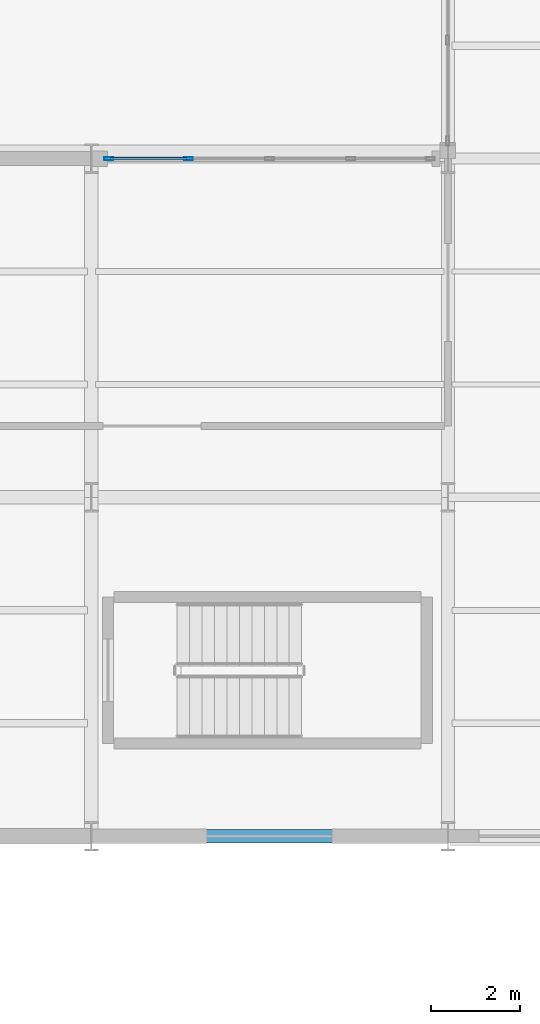
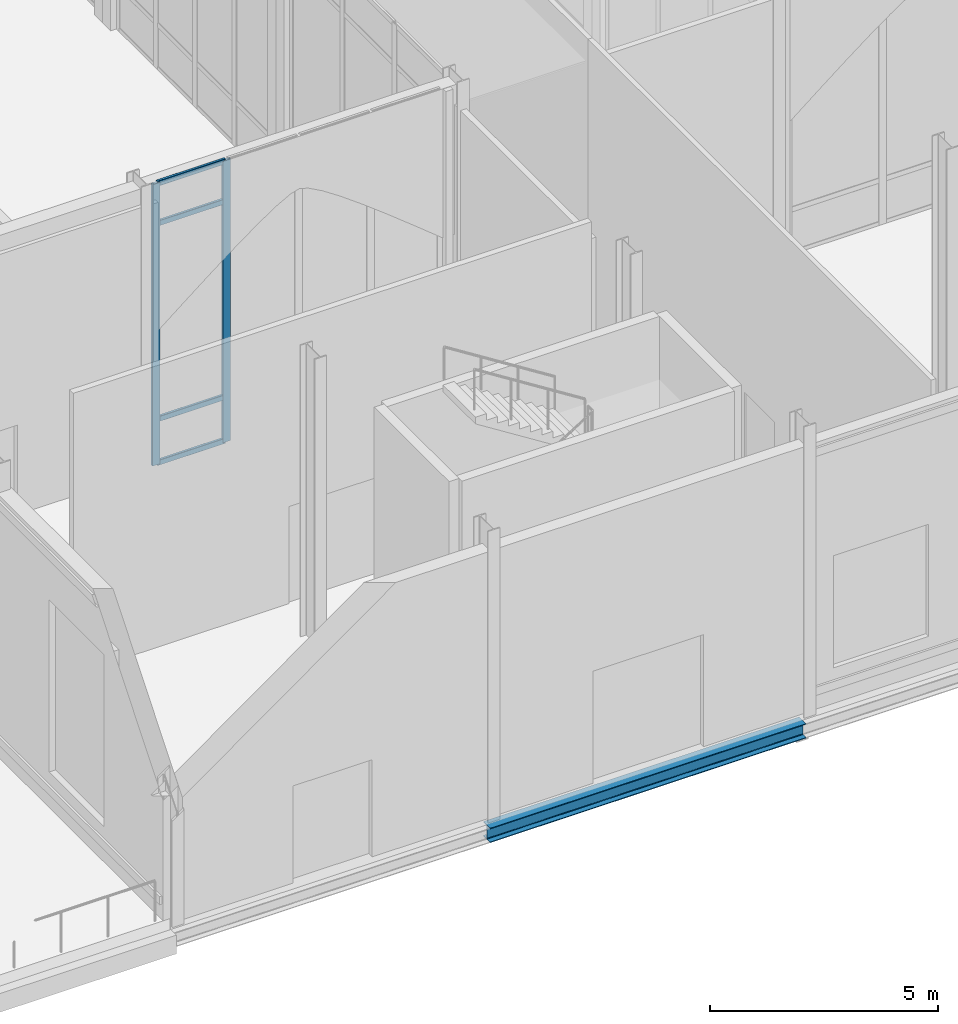
# One storey, part 30 of 176: 6 members, 1 beam, 1 element without a shape of its own.
"""IFC4 building model written with IfcOpenShell, lengths in metres."""

from ifc_helpers import new_model, si_unit, direction, frame, origin, origin_2d, place, context, subcontext, project, spatial, hollow_rectangle, i_section, extrude, material, layer, layer_set, material_profile, profile_set, type_object, element, aggregate, save


model = new_model("IFC4")

# Units and contexts
model_context = context("Model", 3, precision=1e-05, world=origin(), true_north=direction((0.0, 1.0)))
body_context = subcontext(model_context, "Body", "Model", "MODEL_VIEW")
ifc_project = project(units=[si_unit("LENGTHUNIT", "METRE"), si_unit("AREAUNIT", "SQUARE_METRE"), si_unit("VOLUMEUNIT", "CUBIC_METRE"), si_unit("PLANEANGLEUNIT", "RADIAN"), si_unit("MASSUNIT", "GRAM", prefix="KILO")], contexts=[model_context])

# Site, building, storey
site_placement = place(None, origin())
site = spatial("IfcSite", under=ifc_project, at=site_placement, CompositionType="ELEMENT")
building_placement = place(site_placement, origin())
building = spatial("IfcBuilding", under=site, at=building_placement, Name="Vekula Escarpment Museum", CompositionType="ELEMENT")
storey_placement = place(building_placement, origin())
storey = spatial("IfcBuildingStorey", under=building, at=storey_placement, Name="L01", CompositionType="ELEMENT", Elevation=0.0)

# Beam
ifc_material_1 = material(Name="Steel S355", Category="steel")
ifc_material_profile_1 = material_profile(ifc_material_1, i_section(OverallWidth=0.300048828125, OverallDepth=0.389892578125, WebThickness=0.010986328125, FlangeThickness=0.01904296875, FilletRadius=0.027099609375, at=origin_2d()), Name="HEA 400")
ifc_profile_set_1 = profile_set([ifc_material_profile_1], Name="Steel S355")
beam_type = type_object("IfcBeamType", Name="BM-SPAN-HEA400", PredefinedType="SPANDREL", material=ifc_profile_set_1)
beam_placement = place(storey_placement, frame((86.0, 0.0, -0.4951171875), z_axis=(1.0, 0.0, 0.0), x_axis=(0.0, 1.0, 0.0)))
element("IfcBeam", 1, at=beam_placement, inside=storey, type_object=beam_type, Name="Beam X L01 0019", PredefinedType="SPANDREL", context=body_context, shape_type="SweptSolid", body=[
    extrude(i_section(OverallWidth=0.300048828125, OverallDepth=0.389892578125, WebThickness=0.010986328125, FlangeThickness=0.01904296875, FilletRadius=0.027099609375, at=origin_2d()), origin(), (0.0, 0.0, 1.0), 8.0),
])

# Curtain wall, members
ifc_material_2 = material(Name="Aluminium thermally broken framing", Category="aluminium")
ifc_layer = layer(ifc_material_2, 0.159912109375)
ifc_layer_set = layer_set([ifc_layer], Name="Aluminium thermally broken framing")
curtain_wall_type = type_object("IfcCurtainWallType", Name="CW-SYS-01", PredefinedType="NOTDEFINED", material=ifc_layer_set)
curtain_wall_placement = place(storey_placement, origin())
curtain_wall = element("IfcCurtainWall", 2, at=curtain_wall_placement, inside=storey, type_object=curtain_wall_type, Name="Curtain Wall CW-L01-051", PredefinedType="NOTDEFINED")
ifc_material_3 = material(Name="Aluminium anodized mullion", Category="aluminium")
ifc_material_profile_2 = material_profile(ifc_material_3, hollow_rectangle(XDim=0.06494140625, YDim=0.199951171875, WallThickness=0.00390625, InnerFilletRadius=0.00390625, OuterFilletRadius=0.008056640625, at=origin_2d()), Name="ALU 200x65x4")
ifc_profile_set_2 = profile_set([ifc_material_profile_2], Name="Aluminium anodized mullion")
member_type_1 = type_object("IfcMemberType", Name="CW-MUL-200", PredefinedType="MULLION", material=ifc_profile_set_2)
member_1_placement = place(storey_placement, frame((88.179931640625, 15.199951171875, 0.0), z_axis=(0.0, 0.0, 1.0), x_axis=(0.0, -1.0, 0.0)))
member_1 = element("IfcMember", 3, at=member_1_placement, type_object=member_type_1, Name="CW-01 mullion 4", PredefinedType="MULLION", context=body_context, shape_type="SweptSolid", body=[
    extrude(hollow_rectangle(XDim=0.06494140625, YDim=0.199951171875, WallThickness=0.00390625, InnerFilletRadius=0.00390625, OuterFilletRadius=0.008056640625, at=origin_2d()), origin(), (0.0, 0.0, 1.0), 7.5400390625),
])
member_2_placement = place(storey_placement, frame((86.392578125, 15.199951171875, 0.0), z_axis=(0.0, 0.0, 1.0), x_axis=(0.0, -1.0, 0.0)))
member_2 = element("IfcMember", 4, at=member_2_placement, type_object=member_type_1, Name="CW-01 mullion 5", PredefinedType="MULLION", context=body_context, shape_type="SweptSolid", body=[
    extrude(hollow_rectangle(XDim=0.06494140625, YDim=0.199951171875, WallThickness=0.00390625, InnerFilletRadius=0.00390625, OuterFilletRadius=0.008056640625, at=origin_2d()), origin(), (0.0, 0.0, 1.0), 7.5400390625),
])
ifc_material_4 = material(Name="Aluminium anodized transom", Category="aluminium")
ifc_material_profile_3 = material_profile(ifc_material_4, hollow_rectangle(XDim=0.06494140625, YDim=0.139892578125, WallThickness=0.00390625, InnerFilletRadius=0.00390625, OuterFilletRadius=0.008056640625, at=origin_2d()), Name="ALU 140x65x4")
ifc_profile_set_3 = profile_set([ifc_material_profile_3], Name="Aluminium anodized transom")
member_type_2 = type_object("IfcMemberType", Name="CW-TRN-140", PredefinedType="USERDEFINED", material=ifc_profile_set_3)
member_3_placement = place(storey_placement, frame((88.1474609375, 15.199951171875, 0.032470703125), z_axis=(-1.0, 0.0, 0.0), x_axis=(0.0, -1.0, 0.0)))
member_3 = element("IfcMember", 5, at=member_3_placement, type_object=member_type_2, Name="CW-01 transom 4.1", ObjectType="TRANSOM", PredefinedType="USERDEFINED", context=body_context, shape_type="SweptSolid", body=[
    extrude(hollow_rectangle(XDim=0.06494140625, YDim=0.139892578125, WallThickness=0.00390625, InnerFilletRadius=0.00390625, OuterFilletRadius=0.008056640625, at=origin_2d()), origin(), (0.0, 0.0, 1.0), 1.722412109375),
])
member_4_placement = place(storey_placement, frame((88.1474609375, 15.199951171875, 1.199951171875), z_axis=(-1.0, 0.0, 0.0), x_axis=(0.0, -1.0, 0.0)))
member_4 = element("IfcMember", 6, at=member_4_placement, type_object=member_type_2, Name="CW-01 transom 4.2", ObjectType="TRANSOM", PredefinedType="USERDEFINED", context=body_context, shape_type="SweptSolid", body=[
    extrude(hollow_rectangle(XDim=0.06494140625, YDim=0.139892578125, WallThickness=0.00390625, InnerFilletRadius=0.00390625, OuterFilletRadius=0.008056640625, at=origin_2d()), origin(), (0.0, 0.0, 1.0), 1.722412109375),
])
member_5_placement = place(storey_placement, frame((88.1474609375, 15.199951171875, 6.43994140625), z_axis=(-1.0, 0.0, 0.0), x_axis=(0.0, -1.0, 0.0)))
member_5 = element("IfcMember", 7, at=member_5_placement, type_object=member_type_2, Name="CW-01 transom 4.3", ObjectType="TRANSOM", PredefinedType="USERDEFINED", context=body_context, shape_type="SweptSolid", body=[
    extrude(hollow_rectangle(XDim=0.06494140625, YDim=0.139892578125, WallThickness=0.00390625, InnerFilletRadius=0.00390625, OuterFilletRadius=0.008056640625, at=origin_2d()), origin(), (0.0, 0.0, 1.0), 1.722412109375),
])
member_6_placement = place(storey_placement, frame((88.1474609375, 15.199951171875, 7.507568359375), z_axis=(-1.0, 0.0, 0.0), x_axis=(0.0, -1.0, 0.0)))
member_6 = element("IfcMember", 8, at=member_6_placement, type_object=member_type_2, Name="CW-01 transom 4.4", ObjectType="TRANSOM", PredefinedType="USERDEFINED", context=body_context, shape_type="SweptSolid", body=[
    extrude(hollow_rectangle(XDim=0.06494140625, YDim=0.139892578125, WallThickness=0.00390625, InnerFilletRadius=0.00390625, OuterFilletRadius=0.008056640625, at=origin_2d()), origin(), (0.0, 0.0, 1.0), 1.722412109375),
])
aggregate(curtain_wall, [member_1, member_2, member_3, member_4, member_5, member_6])

save(model, "model.ifc")
